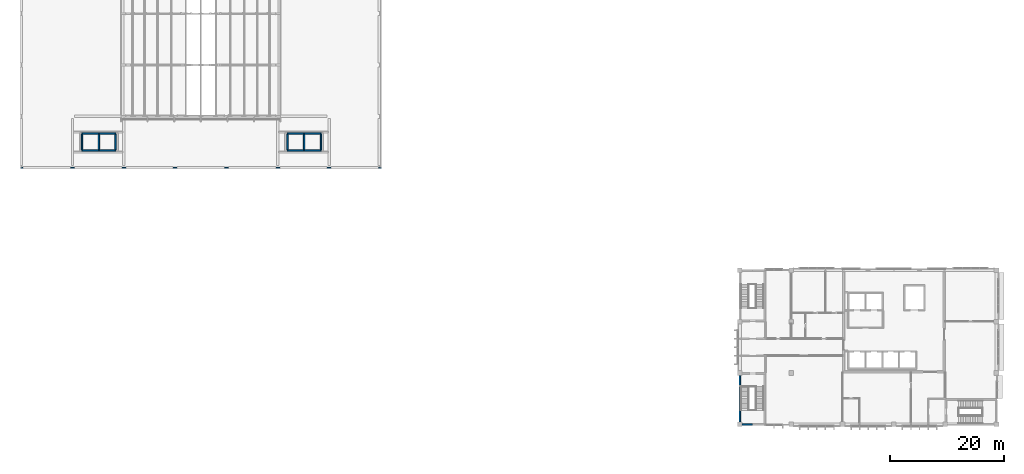
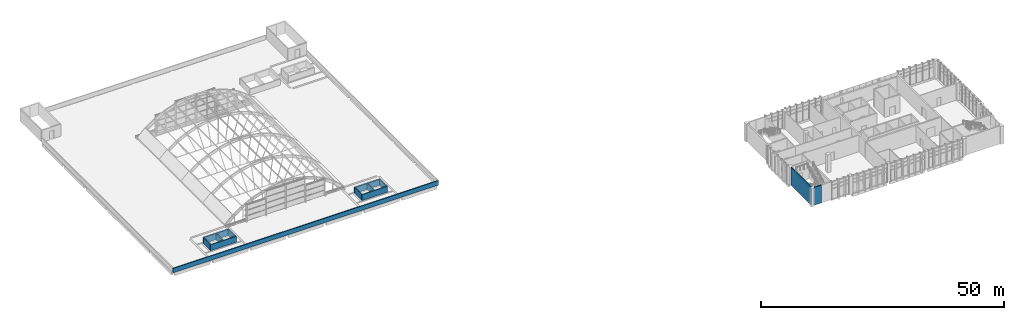
# One storey, part 30 of 43: 13 walls.
"""IFC4 building model written with IfcOpenShell, lengths in metres."""

from ifc_helpers import new_model, si_unit, direction, frame, frame_2d, origin, place, context, subcontext, project, spatial, rectangle, extrude, material, layer, layer_set, type_object, element, save


model = new_model("IFC4")

# Units and contexts
model_context = context("Model", 3, precision=1e-05, world=origin(), true_north=direction((0.0, 1.0)))
body_context = subcontext(model_context, "Body", "Model", "MODEL_VIEW")
ifc_project = project(units=[si_unit("LENGTHUNIT", "METRE"), si_unit("AREAUNIT", "SQUARE_METRE"), si_unit("VOLUMEUNIT", "CUBIC_METRE"), si_unit("PLANEANGLEUNIT", "RADIAN"), si_unit("MASSUNIT", "GRAM", prefix="KILO")], contexts=[model_context])

# Site, building, storey
site_placement = place(None, origin())
site = spatial("IfcSite", under=ifc_project, at=site_placement, CompositionType="ELEMENT")
building_placement = place(site_placement, origin())
building = spatial("IfcBuilding", under=site, at=building_placement, Name="Guidao Yard Department Store", CompositionType="ELEMENT")
storey_placement = place(building_placement, frame((0.0, 0.0, 28.5)))
storey = spatial("IfcBuildingStorey", under=building, at=storey_placement, Name="L06", CompositionType="ELEMENT", Elevation=28.5)

# Walls
ifc_material_1 = material(Name="Concrete C30", Category="concrete")
ifc_layer_1 = layer(ifc_material_1, 0.199951171875)
ifc_layer_set_1 = layer_set([ifc_layer_1], Name="Parapet wall 200 C30")
wall_type_1 = type_object("IfcWallType", Name="Parapet wall 200 C30", PredefinedType="PARAPET", material=ifc_layer_set_1)
wall_1_placement = place(storey_placement, frame((-0.10009765625, 45.0, 0.0), z_axis=(0.0, 0.0, 1.0), x_axis=(1.0, 0.0, 0.0)))
element("IfcWall", 1, at=wall_1_placement, inside=storey, type_object=wall_type_1, Name="Parapet", PredefinedType="PARAPET", context=body_context, shape_type="SweptSolid", body=[
    extrude(rectangle(XDim=63.2001953125, YDim=0.199951171875, at=frame_2d((31.60009765625, 0.0))), origin(), (0.0, 0.0, 1.0), 1.10009765625),
])
ifc_material_2 = material(Name="Concrete C40", Category="concrete")
ifc_layer_2 = layer(ifc_material_2, 0.25)
ifc_layer_set_2 = layer_set([ifc_layer_2], Name="Wall RC 250 C40 stair and shaft")
wall_type_2 = type_object("IfcWallType", Name="Wall RC 250 C40 stair and shaft", PredefinedType="SHEAR", material=ifc_layer_set_2)
wall_2_placement = place(storey_placement, frame((126.39990234375, 0.0, 0.0), z_axis=(0.0, 0.0, 1.0), x_axis=(1.0, 0.0, 0.0)))
element("IfcWall", 2, at=wall_2_placement, inside=storey, type_object=wall_type_2, Name="Stair wall SO1", PredefinedType="SHEAR", context=body_context, shape_type="SweptSolid", body=[
    extrude(rectangle(XDim=1.7880859375, YDim=0.25, at=frame_2d((0.89404296875, 0.0))), origin(), (0.0, 0.0, 1.0), 4.5),
])
wall_3_placement = place(storey_placement, frame((126.0, 0.39990234375, 0.0), z_axis=(0.0, 0.0, 1.0), x_axis=(0.0, 1.0, 0.0)))
element("IfcWall", 3, at=wall_3_placement, inside=storey, type_object=wall_type_2, Name="Stair wall SO1", PredefinedType="SHEAR", context=body_context, shape_type="SweptSolid", body=[
    extrude(rectangle(XDim=8.2001953125, YDim=0.25, at=frame_2d((4.10009765625, 0.0))), origin(), (0.0, 0.0, 1.0), 4.5),
])
for number, where, z_axis, x_axis, name in (
    (4, (10.550048828125, 50.97509765625, 0.0), (0.0, 0.0, 1.0), (1.0, 0.0, 0.0), "Lift shaft wall HL1 to HL2"),
    (5, (10.550048828125, 48.02490234375, 0.0), (0.0, 0.0, 1.0), (1.0, 0.0, 0.0), "Lift shaft wall HL1 to HL2"),
):
    element("IfcWall", number, at=place(storey_placement, frame(where, z_axis=z_axis, x_axis=x_axis)), inside=storey, type_object=wall_type_2, Name=name, PredefinedType="SHEAR", context=body_context, shape_type="SweptSolid", body=[
        extrude(rectangle(XDim=6.14990234375, YDim=0.25, at=frame_2d((3.074951171875, 0.0))), origin(), (0.0, 0.0, 1.0), 1.5),
    ])
for number, where, z_axis, x_axis, name in (
    (6, (10.675048828125, 48.14990234375, 0.0), (0.0, 0.0, 1.0), (0.0, 1.0, 0.0), "Lift shaft wall HL1 to HL2"),
    (7, (13.625, 48.14990234375, 0.0), (0.0, 0.0, 1.0), (0.0, 1.0, 0.0), "Lift shaft wall HL1 to HL2"),
    (8, (16.574951171875, 48.14990234375, 0.0), (0.0, 0.0, 1.0), (0.0, 1.0, 0.0), "Lift shaft wall HL1 to HL2"),
):
    element("IfcWall", number, at=place(storey_placement, frame(where, z_axis=z_axis, x_axis=x_axis)), inside=storey, type_object=wall_type_2, Name=name, PredefinedType="SHEAR", context=body_context, shape_type="SweptSolid", body=[
        extrude(rectangle(XDim=2.7001953125, YDim=0.25, at=frame_2d((1.35009765625, 0.0))), origin(), (0.0, 0.0, 1.0), 1.5),
    ])
for number, where, z_axis, x_axis, name in (
    (9, (46.550048828125, 50.97509765625, 0.0), (0.0, 0.0, 1.0), (1.0, 0.0, 0.0), "Lift shaft wall HL3 to HL4"),
    (10, (46.550048828125, 48.02490234375, 0.0), (0.0, 0.0, 1.0), (1.0, 0.0, 0.0), "Lift shaft wall HL3 to HL4"),
):
    element("IfcWall", number, at=place(storey_placement, frame(where, z_axis=z_axis, x_axis=x_axis)), inside=storey, type_object=wall_type_2, Name=name, PredefinedType="SHEAR", context=body_context, shape_type="SweptSolid", body=[
        extrude(rectangle(XDim=6.14990234375, YDim=0.25, at=frame_2d((3.074951171875, 0.0))), origin(), (0.0, 0.0, 1.0), 1.5),
    ])
for number, where, z_axis, x_axis, name in (
    (11, (46.675048828125, 48.14990234375, 0.0), (0.0, 0.0, 1.0), (0.0, 1.0, 0.0), "Lift shaft wall HL3 to HL4"),
    (12, (49.625, 48.14990234375, 0.0), (0.0, 0.0, 1.0), (0.0, 1.0, 0.0), "Lift shaft wall HL3 to HL4"),
    (13, (52.574951171875, 48.14990234375, 0.0), (0.0, 0.0, 1.0), (0.0, 1.0, 0.0), "Lift shaft wall HL3 to HL4"),
):
    element("IfcWall", number, at=place(storey_placement, frame(where, z_axis=z_axis, x_axis=x_axis)), inside=storey, type_object=wall_type_2, Name=name, PredefinedType="SHEAR", context=body_context, shape_type="SweptSolid", body=[
        extrude(rectangle(XDim=2.7001953125, YDim=0.25, at=frame_2d((1.35009765625, 0.0))), origin(), (0.0, 0.0, 1.0), 1.5),
    ])

save(model, "model.ifc")
